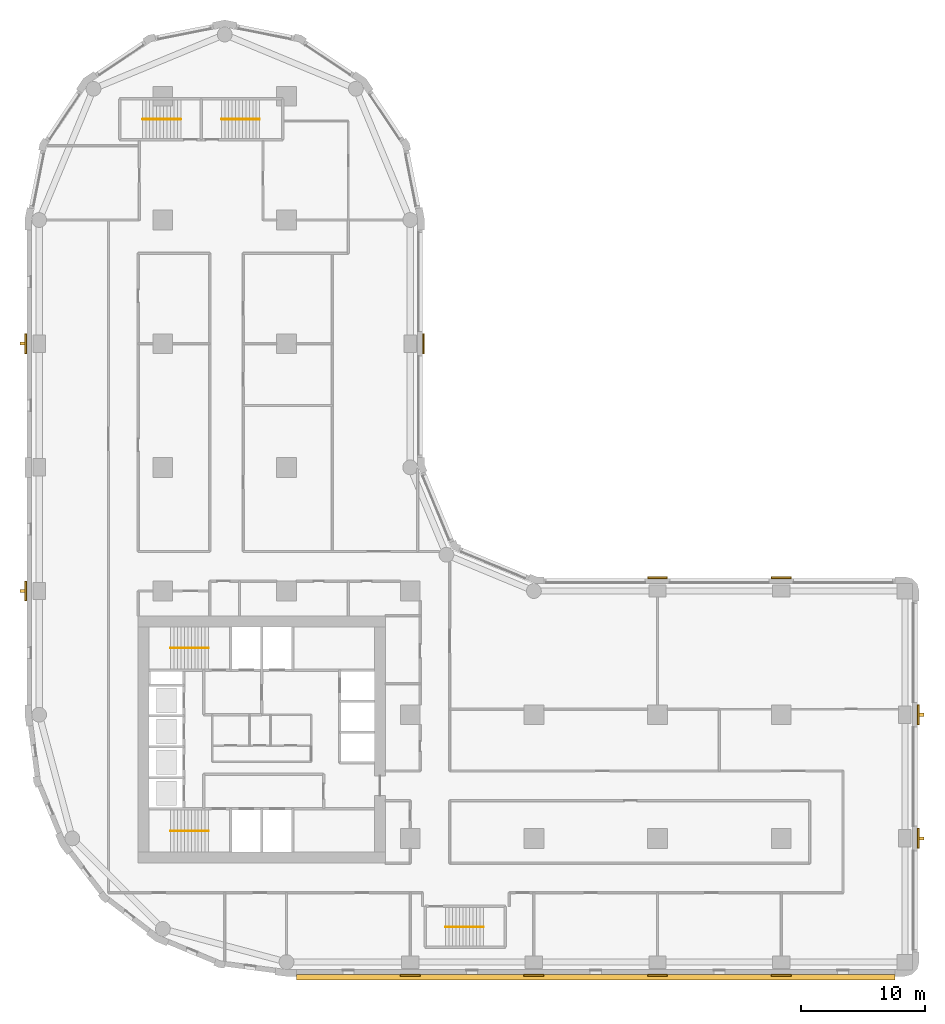
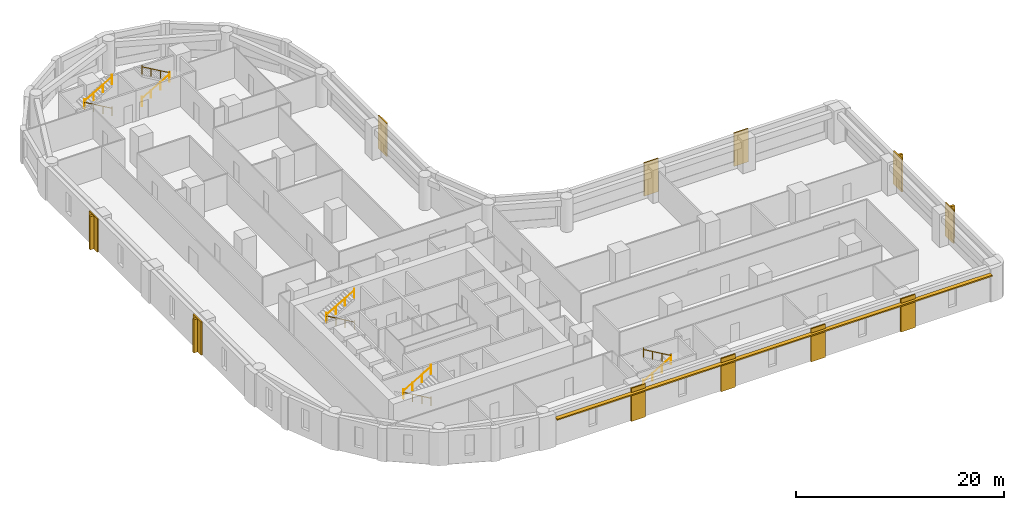
# One storey, part 9 of 10: 11 coverings, 10 railings, 5 shading devices.
"""IFC4 building model written with IfcOpenShell, lengths in metres."""

from ifc_helpers import new_model, si_unit, direction, frame, origin, origin_2d, place, context, subcontext, project, spatial, polyline, rectangle, circle, outline, extrude, material, layer, layer_set, type_object, element, save


model = new_model("IFC4")

# Units and contexts
model_context = context("Model", 3, precision=1e-05, world=origin(), true_north=direction((0.0, 1.0)))
body_context = subcontext(model_context, "Body", "Model", "MODEL_VIEW")
ifc_project = project(units=[si_unit("LENGTHUNIT", "METRE"), si_unit("AREAUNIT", "SQUARE_METRE"), si_unit("VOLUMEUNIT", "CUBIC_METRE"), si_unit("PLANEANGLEUNIT", "RADIAN"), si_unit("MASSUNIT", "GRAM", prefix="KILO")], contexts=[model_context])

# Site, building, storey
site_placement = place(None, origin())
site = spatial("IfcSite", under=ifc_project, at=site_placement, CompositionType="ELEMENT")
building_placement = place(site_placement, origin())
building = spatial("IfcBuilding", under=site, at=building_placement, Name="Qaws Garden Tower", CompositionType="ELEMENT")
storey_placement = place(building_placement, frame((0.0, 0.0, 109.5)))
storey = spatial("IfcBuildingStorey", under=building, at=storey_placement, Name="L27", CompositionType="ELEMENT", Elevation=109.5)

# Coverings
ifc_material_1 = material(Name="Clay facing brick masonry", Category="masonry")
ifc_layer_1 = layer(ifc_material_1, 0.14990234375)
ifc_layer_set_1 = layer_set([ifc_layer_1], Name="Clay facing brick masonry")
covering_type = type_object("IfcCoveringType", Name="Brick pilaster facing 150 x 1600", PredefinedType="CLADDING", material=ifc_layer_set_1)
placement = place(storey_placement, origin())
element("IfcCovering", 1, at=placement, inside=storey, type_object=covering_type, Name="E-L27-pier-01", PredefinedType="CLADDING", context=body_context, shape_type="SweptSolid", body=[
    extrude(outline(polyline([(29.199951171875, -1.0), (30.800048828125, -1.0), (30.800048828125, -1.14990234375), (29.199951171875, -1.14990234375), (29.199951171875, -1.0)])), origin(), (0.0, 0.0, 1.0), 3.89990234375),
])
element("IfcCovering", 2, at=placement, inside=storey, type_object=covering_type, Name="E-L27-pier-02", PredefinedType="CLADDING", context=body_context, shape_type="SweptSolid", body=[
    extrude(outline(polyline([(39.199951171875, -1.0), (40.800048828125, -1.0), (40.800048828125, -1.14990234375), (39.199951171875, -1.14990234375), (39.199951171875, -1.0)])), origin(), (0.0, 0.0, 1.0), 3.89990234375),
])
element("IfcCovering", 3, at=placement, inside=storey, type_object=covering_type, Name="E-L27-pier-03", PredefinedType="CLADDING", context=body_context, shape_type="SweptSolid", body=[
    extrude(outline(polyline([(49.199951171875, -1.0), (50.800048828125, -1.0), (50.800048828125, -1.14990234375), (49.199951171875, -1.14990234375), (49.199951171875, -1.0)])), origin(), (0.0, 0.0, 1.0), 3.89990234375),
])
element("IfcCovering", 4, at=placement, inside=storey, type_object=covering_type, Name="E-L27-pier-04", PredefinedType="CLADDING", context=body_context, shape_type="SweptSolid", body=[
    extrude(outline(polyline([(59.199951171875, -1.0), (60.800048828125, -1.0), (60.800048828125, -1.14990234375), (59.199951171875, -1.14990234375), (59.199951171875, -1.0)])), origin(), (0.0, 0.0, 1.0), 3.89990234375),
])
element("IfcCovering", 5, at=placement, inside=storey, type_object=covering_type, Name="E-L27-pier-06", PredefinedType="CLADDING", context=body_context, shape_type="SweptSolid", body=[
    extrude(outline(polyline([(71.0, 9.199951171875), (71.0, 10.800048828125), (71.14990234375, 10.800048828125), (71.14990234375, 9.199951171875), (71.0, 9.199951171875)])), origin(), (0.0, 0.0, 1.0), 3.89990234375),
])
element("IfcCovering", 6, at=placement, inside=storey, type_object=covering_type, Name="E-L27-pier-07", PredefinedType="CLADDING", context=body_context, shape_type="SweptSolid", body=[
    extrude(outline(polyline([(71.0, 19.199951171875), (71.0, 20.800048828125), (71.14990234375, 20.800048828125), (71.14990234375, 19.199951171875), (71.0, 19.199951171875)])), origin(), (0.0, 0.0, 1.0), 3.89990234375),
])
element("IfcCovering", 7, at=placement, inside=storey, type_object=covering_type, Name="E-L27-pier-09", PredefinedType="CLADDING", context=body_context, shape_type="SweptSolid", body=[
    extrude(outline(polyline([(60.800048828125, 31.0), (59.199951171875, 31.0), (59.199951171875, 31.14990234375), (60.800048828125, 31.14990234375), (60.800048828125, 31.0)])), origin(), (0.0, 0.0, 1.0), 3.89990234375),
])
element("IfcCovering", 8, at=placement, inside=storey, type_object=covering_type, Name="E-L27-pier-10", PredefinedType="CLADDING", context=body_context, shape_type="SweptSolid", body=[
    extrude(outline(polyline([(50.800048828125, 31.0), (49.199951171875, 31.0), (49.199951171875, 31.14990234375), (50.800048828125, 31.14990234375), (50.800048828125, 31.0)])), origin(), (0.0, 0.0, 1.0), 3.89990234375),
])
element("IfcCovering", 9, at=placement, inside=storey, type_object=covering_type, Name="E-L27-pier-14", PredefinedType="CLADDING", context=body_context, shape_type="SweptSolid", body=[
    extrude(outline(polyline([(31.0, 49.199951171875), (31.0, 50.800048828125), (31.14990234375, 50.800048828125), (31.14990234375, 49.199951171875), (31.0, 49.199951171875)])), origin(), (0.0, 0.0, 1.0), 3.89990234375),
])
element("IfcCovering", 10, at=placement, inside=storey, type_object=covering_type, Name="E-L27-pier-24", PredefinedType="CLADDING", context=body_context, shape_type="SweptSolid", body=[
    extrude(outline(polyline([(-1.0, 50.800048828125), (-1.0, 49.199951171875), (-1.14990234375, 49.199951171875), (-1.14990234375, 50.800048828125), (-1.0, 50.800048828125)])), origin(), (0.0, 0.0, 1.0), 3.89990234375),
])
element("IfcCovering", 11, at=placement, inside=storey, type_object=covering_type, Name="E-L27-pier-26", PredefinedType="CLADDING", context=body_context, shape_type="SweptSolid", body=[
    extrude(outline(polyline([(-1.0, 30.800048828125), (-1.0, 29.199951171875), (-1.14990234375, 29.199951171875), (-1.14990234375, 30.800048828125), (-1.0, 30.800048828125)])), origin(), (0.0, 0.0, 1.0), 3.89990234375),
])

# Shading devices
ifc_material_2 = material(Name="Clay facing brick masonry", Category="masonry")
ifc_layer_2 = layer(ifc_material_2, 0.14990234375)
ifc_layer_set_2 = layer_set([ifc_layer_2], Name="Clay facing brick masonry")
shading_device_type_1 = type_object("IfcShadingDeviceType", Name="Brick sunshade band 450 x 150", PredefinedType="JALOUSIE", material=ifc_layer_set_2)
shading_device_placement = place(storey_placement, frame((0.0, 0.0, 3.25)))
element("IfcShadingDevice", 12, at=shading_device_placement, inside=storey, type_object=shading_device_type_1, Name="SUNSHADE 00", PredefinedType="JALOUSIE", context=body_context, shape_type="SweptSolid", body=[
    extrude(outline(polyline([(20.800048828125, -1.0), (20.800048828125, -1.449951171875), (69.199951171875, -1.449951171875), (69.199951171875, -1.0), (60.800048828125, -1.0), (60.800048828125, -1.14990234375), (59.199951171875, -1.14990234375), (59.199951171875, -1.0), (50.800048828125, -1.0), (50.800048828125, -1.14990234375), (49.199951171875, -1.14990234375), (49.199951171875, -1.0), (40.800048828125, -1.0), (40.800048828125, -1.14990234375), (39.199951171875, -1.14990234375), (39.199951171875, -1.0), (30.800048828125, -1.0), (30.800048828125, -1.14990234375), (29.199951171875, -1.14990234375), (29.199951171875, -1.0), (20.800048828125, -1.0)])), origin(), (0.0, 0.0, 1.0), 0.14990234375),
])
ifc_material_3 = material(Name="Clay facing brick masonry", Category="masonry")
ifc_layer_3 = layer(ifc_material_3, 0.25)
ifc_layer_set_3 = layer_set([ifc_layer_3], Name="Clay facing brick masonry")
shading_device_type_2 = type_object("IfcShadingDeviceType", Name="Brick-faced fin 250 x 400", PredefinedType="USERDEFINED", material=ifc_layer_set_3)
for number, where, z_axis, x_axis, name in (
    (13, (71.35009765625, 10.0, 0.0), (0.0, 0.0, 1.0), (0.0, 1.0, 0.0), "FIN 06"),
    (14, (71.35009765625, 20.0, 0.0), (0.0, 0.0, 1.0), (0.0, 1.0, 0.0), "FIN 07"),
    (15, (-1.35009765625, 50.0, 0.0), (0.0, 0.0, 1.0), (0.0, -1.0, 0.0), "FIN 24"),
    (16, (-1.35009765625, 30.0, 0.0), (0.0, 0.0, 1.0), (0.0, -1.0, 0.0), "FIN 26"),
):
    element("IfcShadingDevice", number, at=place(storey_placement, frame(where, z_axis=z_axis, x_axis=x_axis)), inside=storey, type_object=shading_device_type_2, Name=name, ObjectType="FIN", PredefinedType="USERDEFINED", context=body_context, shape_type="SweptSolid", body=[
        extrude(rectangle(XDim=0.25, YDim=0.39990234375, at=origin_2d()), origin(), (0.0, 0.0, 1.0), 3.89990234375),
    ])

# Railings
ifc_material_4 = material(Name="Steel S355", Category="steel")
railing_type = type_object("IfcRailingType", Name="Stair handrail 900", PredefinedType="HANDRAIL", material=ifc_material_4)
railing_1_placement = place(storey_placement, frame((13.699951171875, 10.60009765625, 0.16259765625)))
element("IfcRailing", 17, at=railing_1_placement, inside=storey, type_object=railing_type, Name="Stair 1 handrail", PredefinedType="HANDRAIL", context=body_context, shape_type="SweptSolid", body=[
    extrude(circle(Radius=0.02392578125, at=origin_2d()), frame((0.0, 0.0, 0.8759765625), z_axis=(-0.864903211148, 0.0, 0.501938676878), x_axis=(0.0, -1.0, 0.0)), (0.0, 0.0, 1.0), 3.560791015625),
    extrude(circle(Radius=0.02099609375, at=origin_2d()), origin(), (0.0, 0.0, 1.0), 1.06201171875),
    extrude(circle(Radius=0.02099609375, at=origin_2d()), frame((-1.026611328125, 0.0, 0.595703125)), (0.0, 0.0, 1.0), 0.851806640625),
    extrude(circle(Radius=0.02099609375, at=origin_2d()), frame((-2.05322265625, 0.0, 1.191650390625)), (0.0, 0.0, 1.0), 0.851806640625),
    extrude(circle(Radius=0.02099609375, at=origin_2d()), frame((-3.079833984375, 0.0, 1.787353515625)), (0.0, 0.0, 1.0), 1.06201171875),
])
railing_2_placement = place(storey_placement, frame((10.6201171875, 10.60009765625, 2.112548828125)))
element("IfcRailing", 18, at=railing_2_placement, inside=storey, type_object=railing_type, Name="Stair 1 handrail", PredefinedType="HANDRAIL", context=body_context, shape_type="SweptSolid", body=[
    extrude(circle(Radius=0.02392578125, at=origin_2d()), frame((0.0, 0.0, 0.8759765625), z_axis=(0.864903211148, 0.0, 0.501938676878), x_axis=(0.0, 1.0, 0.0)), (0.0, 0.0, 1.0), 3.560791015625),
    extrude(circle(Radius=0.02099609375, at=origin_2d()), origin(), (0.0, 0.0, 1.0), 1.06201171875),
    extrude(circle(Radius=0.02099609375, at=origin_2d()), frame((1.026611328125, 0.0, 0.595703125)), (0.0, 0.0, 1.0), 0.851806640625),
    extrude(circle(Radius=0.02099609375, at=origin_2d()), frame((2.05322265625, 0.0, 1.191650390625)), (0.0, 0.0, 1.0), 0.851806640625),
    extrude(circle(Radius=0.02099609375, at=origin_2d()), frame((3.079833984375, 0.0, 1.787353515625)), (0.0, 0.0, 1.0), 1.06201171875),
])
railing_3_placement = place(storey_placement, frame((13.699951171875, 25.39990234375, 0.16259765625)))
element("IfcRailing", 19, at=railing_3_placement, inside=storey, type_object=railing_type, Name="Stair 4 handrail", PredefinedType="HANDRAIL", context=body_context, shape_type="SweptSolid", body=[
    extrude(circle(Radius=0.02392578125, at=origin_2d()), frame((0.0, 0.0, 0.8759765625), z_axis=(-0.864903211148, 0.0, 0.501938676878), x_axis=(0.0, -1.0, 0.0)), (0.0, 0.0, 1.0), 3.560791015625),
    extrude(circle(Radius=0.02099609375, at=origin_2d()), origin(), (0.0, 0.0, 1.0), 1.06201171875),
    extrude(circle(Radius=0.02099609375, at=origin_2d()), frame((-1.026611328125, 0.0, 0.595703125)), (0.0, 0.0, 1.0), 0.851806640625),
    extrude(circle(Radius=0.02099609375, at=origin_2d()), frame((-2.05322265625, 0.0, 1.191650390625)), (0.0, 0.0, 1.0), 0.851806640625),
    extrude(circle(Radius=0.02099609375, at=origin_2d()), frame((-3.079833984375, 0.0, 1.787353515625)), (0.0, 0.0, 1.0), 1.06201171875),
])
for number, where, name in (
    (20, (10.6201171875, 25.39990234375, 2.112548828125), "Stair 4 handrail"),
    (21, (32.85009765625, 2.85009765625, 0.16259765625), "Stair 5 handrail"),
):
    element("IfcRailing", number, at=place(storey_placement, frame(where)), inside=storey, type_object=railing_type, Name=name, PredefinedType="HANDRAIL", context=body_context, shape_type="SweptSolid", body=[
        extrude(circle(Radius=0.02392578125, at=origin_2d()), frame((0.0, 0.0, 0.8759765625), z_axis=(0.864903211148, 0.0, 0.501938676878), x_axis=(0.0, 1.0, 0.0)), (0.0, 0.0, 1.0), 3.560791015625),
        extrude(circle(Radius=0.02099609375, at=origin_2d()), origin(), (0.0, 0.0, 1.0), 1.06201171875),
        extrude(circle(Radius=0.02099609375, at=origin_2d()), frame((1.026611328125, 0.0, 0.595703125)), (0.0, 0.0, 1.0), 0.851806640625),
        extrude(circle(Radius=0.02099609375, at=origin_2d()), frame((2.05322265625, 0.0, 1.191650390625)), (0.0, 0.0, 1.0), 0.851806640625),
        extrude(circle(Radius=0.02099609375, at=origin_2d()), frame((3.079833984375, 0.0, 1.787353515625)), (0.0, 0.0, 1.0), 1.06201171875),
    ])
for number, where, name in (
    (22, (35.929931640625, 2.85009765625, 2.112548828125), "Stair 5 handrail"),
    (23, (11.449951171875, 68.14990234375, 0.16259765625), "Stair 6 handrail"),
):
    element("IfcRailing", number, at=place(storey_placement, frame(where)), inside=storey, type_object=railing_type, Name=name, PredefinedType="HANDRAIL", context=body_context, shape_type="SweptSolid", body=[
        extrude(circle(Radius=0.02392578125, at=origin_2d()), frame((0.0, 0.0, 0.8759765625), z_axis=(-0.864903211148, 0.0, 0.501938676878), x_axis=(0.0, -1.0, 0.0)), (0.0, 0.0, 1.0), 3.560791015625),
        extrude(circle(Radius=0.02099609375, at=origin_2d()), origin(), (0.0, 0.0, 1.0), 1.06201171875),
        extrude(circle(Radius=0.02099609375, at=origin_2d()), frame((-1.026611328125, 0.0, 0.595703125)), (0.0, 0.0, 1.0), 0.851806640625),
        extrude(circle(Radius=0.02099609375, at=origin_2d()), frame((-2.05322265625, 0.0, 1.191650390625)), (0.0, 0.0, 1.0), 0.851806640625),
        extrude(circle(Radius=0.02099609375, at=origin_2d()), frame((-3.079833984375, 0.0, 1.787353515625)), (0.0, 0.0, 1.0), 1.06201171875),
    ])
railing_4_placement = place(storey_placement, frame((8.3701171875, 68.14990234375, 2.112548828125)))
element("IfcRailing", 24, at=railing_4_placement, inside=storey, type_object=railing_type, Name="Stair 6 handrail", PredefinedType="HANDRAIL", context=body_context, shape_type="SweptSolid", body=[
    extrude(circle(Radius=0.02392578125, at=origin_2d()), frame((0.0, 0.0, 0.8759765625), z_axis=(0.864903211148, 0.0, 0.501938676878), x_axis=(0.0, 1.0, 0.0)), (0.0, 0.0, 1.0), 3.560791015625),
    extrude(circle(Radius=0.02099609375, at=origin_2d()), origin(), (0.0, 0.0, 1.0), 1.06201171875),
    extrude(circle(Radius=0.02099609375, at=origin_2d()), frame((1.026611328125, 0.0, 0.595703125)), (0.0, 0.0, 1.0), 0.851806640625),
    extrude(circle(Radius=0.02099609375, at=origin_2d()), frame((2.05322265625, 0.0, 1.191650390625)), (0.0, 0.0, 1.0), 0.851806640625),
    extrude(circle(Radius=0.02099609375, at=origin_2d()), frame((3.079833984375, 0.0, 1.787353515625)), (0.0, 0.0, 1.0), 1.06201171875),
])
railing_5_placement = place(storey_placement, frame((14.75, 68.14990234375, 0.16259765625)))
element("IfcRailing", 25, at=railing_5_placement, inside=storey, type_object=railing_type, Name="Stair 7 handrail", PredefinedType="HANDRAIL", context=body_context, shape_type="SweptSolid", body=[
    extrude(circle(Radius=0.02392578125, at=origin_2d()), frame((0.0, 0.0, 0.8759765625), z_axis=(0.864920483161, 0.0, 0.501908913857), x_axis=(0.0, 1.0, 0.0)), (0.0, 0.0, 1.0), 3.56103515625),
    extrude(circle(Radius=0.02099609375, at=origin_2d()), origin(), (0.0, 0.0, 1.0), 1.06201171875),
    extrude(circle(Radius=0.02099609375, at=origin_2d()), frame((1.026611328125, 0.0, 0.595703125)), (0.0, 0.0, 1.0), 0.851806640625),
    extrude(circle(Radius=0.02099609375, at=origin_2d()), frame((2.053466796875, 0.0, 1.191650390625)), (0.0, 0.0, 1.0), 0.851806640625),
    extrude(circle(Radius=0.02099609375, at=origin_2d()), frame((3.080078125, 0.0, 1.787353515625)), (0.0, 0.0, 1.0), 1.06201171875),
])
railing_6_placement = place(storey_placement, frame((17.830078125, 68.14990234375, 2.112548828125)))
element("IfcRailing", 26, at=railing_6_placement, inside=storey, type_object=railing_type, Name="Stair 7 handrail", PredefinedType="HANDRAIL", context=body_context, shape_type="SweptSolid", body=[
    extrude(circle(Radius=0.02392578125, at=origin_2d()), frame((0.0, 0.0, 0.8759765625), z_axis=(-0.864920483161, 0.0, 0.501908913857), x_axis=(0.0, -1.0, 0.0)), (0.0, 0.0, 1.0), 3.56103515625),
    extrude(circle(Radius=0.02099609375, at=origin_2d()), origin(), (0.0, 0.0, 1.0), 1.06201171875),
    extrude(circle(Radius=0.02099609375, at=origin_2d()), frame((-1.026611328125, 0.0, 0.595703125)), (0.0, 0.0, 1.0), 0.851806640625),
    extrude(circle(Radius=0.02099609375, at=origin_2d()), frame((-2.053466796875, 0.0, 1.191650390625)), (0.0, 0.0, 1.0), 0.851806640625),
    extrude(circle(Radius=0.02099609375, at=origin_2d()), frame((-3.080078125, 0.0, 1.787353515625)), (0.0, 0.0, 1.0), 1.06201171875),
])

save(model, "model.ifc")
